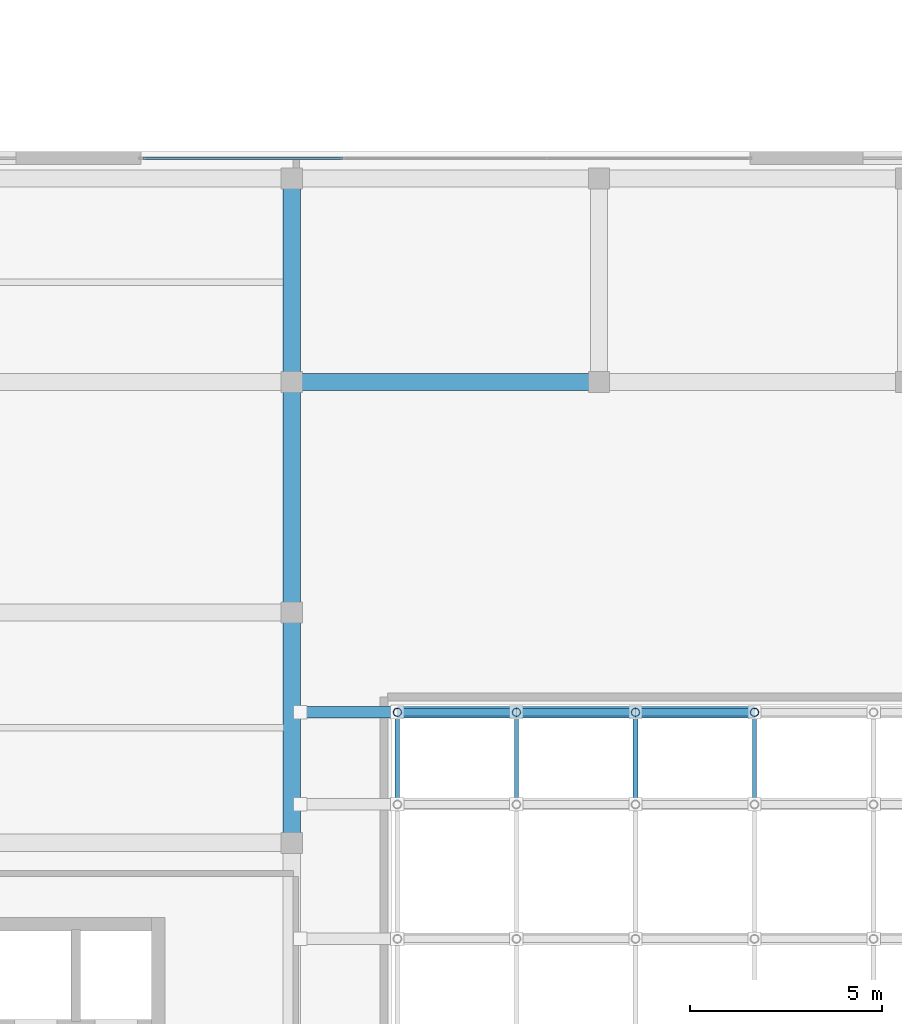
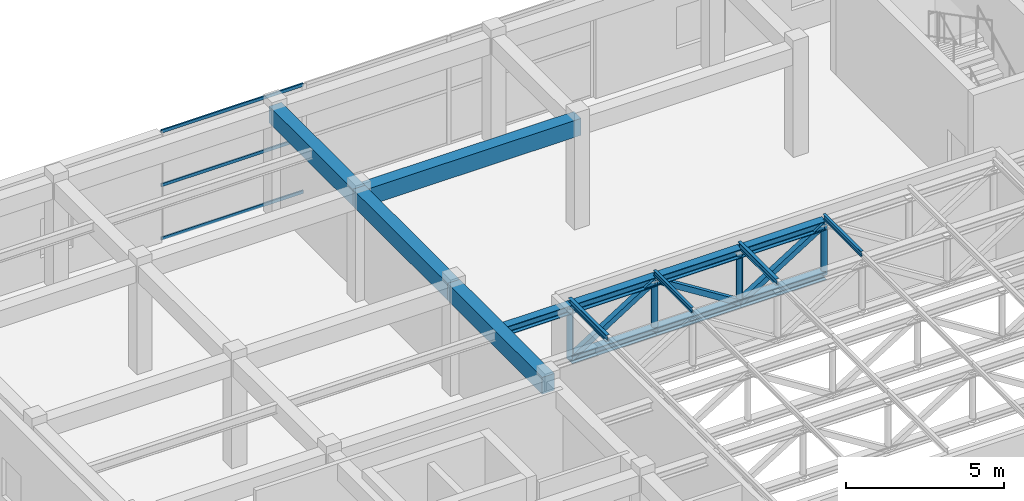
# One storey, part 18 of 33: 21 members, 4 beams, 1 element without a shape of its own.
"""IFC4 building model written with IfcOpenShell, lengths in metres."""

from ifc_helpers import new_model, si_unit, direction, frame, origin, origin_2d, place, context, subcontext, project, spatial, rectangle, hollow_rectangle, hollow_circle, i_section, extrude, source, transform, mapped, material, layer, layer_set, material_profile, profile_set, type_object, element, aggregate, save


model = new_model("IFC4")

# Units and contexts
model_context = context("Model", 3, precision=1e-05, world=origin(), true_north=direction((0.0, 1.0)))
body_context = subcontext(model_context, "Body", "Model", "MODEL_VIEW")
ifc_project = project(units=[si_unit("LENGTHUNIT", "METRE"), si_unit("AREAUNIT", "SQUARE_METRE"), si_unit("VOLUMEUNIT", "CUBIC_METRE"), si_unit("PLANEANGLEUNIT", "RADIAN"), si_unit("MASSUNIT", "GRAM", prefix="KILO")], contexts=[model_context])

# Site, building, storey
site_placement = place(None, origin())
site = spatial("IfcSite", under=ifc_project, at=site_placement, CompositionType="ELEMENT")
building_placement = place(site_placement, origin())
building = spatial("IfcBuilding", under=site, at=building_placement, Name="Khoralis Quay Care Tower", CompositionType="ELEMENT")
storey_placement = place(building_placement, frame((0.0, 0.0, 18.0)))
storey = spatial("IfcBuildingStorey", under=building, at=storey_placement, Name="L04", CompositionType="ELEMENT", Elevation=18.0)

# Beams
ifc_material_1 = material(Name="Concrete C40/50", Category="concrete")
ifc_material_profile_1 = material_profile(ifc_material_1, rectangle(XDim=0.449951171875, YDim=0.64990234375, at=origin_2d()), Name="Concrete C40/50")
ifc_profile_set_1 = profile_set([ifc_material_profile_1], Name="Concrete C40/50")
beam_type = type_object("IfcBeamType", Name="BM-RC450X650", PredefinedType="BEAM", material=ifc_profile_set_1)
shared_shape_1 = source(origin(), body_context, "Body", "SweptSolid", [
    extrude(rectangle(XDim=0.449951171875, YDim=0.64990234375, at=origin_2d()), origin(), (0.0, 0.0, 1.0), 8.0),
])
beam_1_placement = place(storey_placement, frame((84.0, 36.0, 3.864990234375), z_axis=(1.0, 0.0, 0.0), x_axis=(0.0, 1.0, 0.0)))
element("IfcBeam", 1, at=beam_1_placement, inside=storey, type_object=beam_type, Name="BM-SCX-L04-17", PredefinedType="BEAM", context=body_context, shape_type="MappedRepresentation", body=[
    mapped(shared_shape_1, transform((0.0, 0.0, 0.0), scale=1.0)),
])
shared_shape_2 = source(origin(), body_context, "Body", "SweptSolid", [
    extrude(rectangle(XDim=0.449951171875, YDim=0.64990234375, at=origin_2d()), origin(), (0.0, 0.0, 1.0), 5.300048828125),
])
beam_2_placement = place(storey_placement, frame((84.0, 36.0, 3.864990234375), z_axis=(0.0, 1.0, 0.0), x_axis=(-1.0, 0.0, 0.0)))
element("IfcBeam", 2, at=beam_2_placement, inside=storey, type_object=beam_type, Name="BM-SCY-L04-41", PredefinedType="BEAM", context=body_context, shape_type="MappedRepresentation", body=[
    mapped(shared_shape_2, transform((0.0, 0.0, 0.0), scale=1.0)),
])
shared_shape_3 = source(origin(), body_context, "Body", "SweptSolid", [
    extrude(rectangle(XDim=0.449951171875, YDim=0.64990234375, at=origin_2d()), origin(), (0.0, 0.0, 1.0), 6.0),
])
for number, where, z_axis, x_axis, name in (
    (3, (84.0, 24.0, 3.864990234375), (0.0, 1.0, 0.0), (-1.0, 0.0, 0.0), "BM-SCY-L04-39"),
    (4, (84.0, 30.0, 3.864990234375), (0.0, 1.0, 0.0), (-1.0, 0.0, 0.0), "BM-SCY-L04-40"),
):
    element("IfcBeam", number, at=place(storey_placement, frame(where, z_axis=z_axis, x_axis=x_axis)), inside=storey, type_object=beam_type, Name=name, PredefinedType="BEAM", context=body_context, shape_type="MappedRepresentation", body=[
        mapped(shared_shape_3, transform((0.0, 0.0, 0.0), scale=1.0)),
    ])

# Members
ifc_material_2 = material(Name="Steel S355", Category="steel")
ifc_material_profile_2 = material_profile(ifc_material_2, i_section(OverallWidth=0.300048828125, OverallDepth=0.340087890625, WebThickness=0.011962890625, FlangeThickness=0.021484375, FilletRadius=0.027099609375, at=origin_2d()), Name="Steel S355")
ifc_profile_set_2 = profile_set([ifc_material_profile_2], Name="Steel S355")
member_type_1 = type_object("IfcMemberType", Name="CH-HEB340", PredefinedType="CHORD", material=ifc_profile_set_2)
shared_shape_4 = source(origin(), body_context, "Body", "SweptSolid", [
    extrude(i_section(OverallWidth=0.300048828125, OverallDepth=0.340087890625, WebThickness=0.011962890625, FlangeThickness=0.021484375, FilletRadius=0.027099609375, at=origin_2d()), origin(), (0.0, 0.0, 1.0), 2.534912109375),
])
member_1_placement = place(storey_placement, frame((84.215087890625, 27.39990234375, 3.800048828125), z_axis=(1.0, 0.0, 0.0), x_axis=(0.0, 1.0, 0.0)))
element("IfcMember", 5, at=member_1_placement, inside=storey, type_object=member_type_1, Name="MBR-SCTC-5-W", PredefinedType="CHORD", context=body_context, shape_type="MappedRepresentation", body=[
    mapped(shared_shape_4, transform((0.0, 0.0, 0.0), scale=1.0)),
])
shared_shape_5 = source(origin(), body_context, "Body", "SweptSolid", [
    extrude(i_section(OverallWidth=0.300048828125, OverallDepth=0.340087890625, WebThickness=0.011962890625, FlangeThickness=0.021484375, FilletRadius=0.027099609375, at=origin_2d()), origin(), (0.0, 0.0, 1.0), 3.10009765625),
])
for number, where, z_axis, x_axis, name in (
    (6, (86.75, 27.39990234375, 3.800048828125), (1.0, 0.0, 0.0), (0.0, 1.0, 0.0), "MBR-SCTC-5-0"),
    (7, (92.949951171875, 27.39990234375, 3.800048828125), (1.0, 0.0, 0.0), (0.0, 1.0, 0.0), "MBR-SCTC-5-2"),
):
    element("IfcMember", number, at=place(storey_placement, frame(where, z_axis=z_axis, x_axis=x_axis)), inside=storey, type_object=member_type_1, Name=name, PredefinedType="CHORD", context=body_context, shape_type="MappedRepresentation", body=[
        mapped(shared_shape_5, transform((0.0, 0.0, 0.0), scale=1.0)),
    ])
ifc_material_profile_3 = material_profile(ifc_material_2, i_section(OverallWidth=0.300048828125, OverallDepth=0.300048828125, WebThickness=0.010986328125, FlangeThickness=0.01904296875, FilletRadius=0.027099609375, at=origin_2d()), Name="Steel S355")
ifc_profile_set_3 = profile_set([ifc_material_profile_3], Name="Steel S355")
member_type_2 = type_object("IfcMemberType", Name="CH-HEB300", PredefinedType="CHORD", material=ifc_profile_set_3)
shared_shape_6 = source(origin(), body_context, "Body", "SweptSolid", [
    extrude(i_section(OverallWidth=0.300048828125, OverallDepth=0.300048828125, WebThickness=0.010986328125, FlangeThickness=0.01904296875, FilletRadius=0.027099609375, at=origin_2d()), origin(), (0.0, 0.0, 1.0), 3.10009765625),
])
for number, where, z_axis, x_axis, name in (
    (8, (86.75, 27.39990234375, 1.85009765625), (1.0, 0.0, 0.0), (0.0, 1.0, 0.0), "MBR-SCBC-5-0"),
    (9, (92.949951171875, 27.39990234375, 1.85009765625), (1.0, 0.0, 0.0), (0.0, 1.0, 0.0), "MBR-SCBC-5-2"),
):
    element("IfcMember", number, at=place(storey_placement, frame(where, z_axis=z_axis, x_axis=x_axis)), inside=storey, type_object=member_type_2, Name=name, PredefinedType="CHORD", context=body_context, shape_type="MappedRepresentation", body=[
        mapped(shared_shape_6, transform((0.0, 0.0, 0.0), scale=1.0)),
    ])
ifc_material_profile_4 = material_profile(ifc_material_2, hollow_rectangle(XDim=0.199951171875, YDim=0.199951171875, WallThickness=0.010009765625, at=origin_2d()), Name="Steel S355")
ifc_profile_set_4 = profile_set([ifc_material_profile_4], Name="Steel S355")
member_type_3 = type_object("IfcMemberType", Name="BR-RHS200X200X10", PredefinedType="BRACE", material=ifc_profile_set_4)
shared_shape_7 = source(origin(), body_context, "Body", "SweptSolid", [
    extrude(hollow_rectangle(XDim=0.199951171875, YDim=0.199951171875, WallThickness=0.010009765625, at=origin_2d()), origin(), (0.0, 0.0, 1.0), 3.662353515625),
])
for number, where, z_axis, x_axis, name in (
    (10, (86.75, 27.39990234375, 1.85009765625), (0.846474321082, 0.0, 0.532429548156), (0.0, 1.0, 0.0), "L04 School Roof Truss Brace 5.0"),
    (11, (92.949951171875, 27.39990234375, 1.85009765625), (0.846474321082, 0.0, 0.532429548156), (0.0, 1.0, 0.0), "L04 School Roof Truss Brace 5.2"),
):
    element("IfcMember", number, at=place(storey_placement, frame(where, z_axis=z_axis, x_axis=x_axis)), inside=storey, type_object=member_type_3, Name=name, PredefinedType="BRACE", context=body_context, shape_type="MappedRepresentation", body=[
        mapped(shared_shape_7, transform((0.0, 0.0, 0.0), scale=1.0)),
    ])
shared_shape_8 = source(origin(), body_context, "Body", "SweptSolid", [
    extrude(i_section(OverallWidth=0.300048828125, OverallDepth=0.340087890625, WebThickness=0.011962890625, FlangeThickness=0.021484375, FilletRadius=0.027099609375, at=origin_2d()), origin(), (0.0, 0.0, 1.0), 3.099853515625),
])
member_2_placement = place(storey_placement, frame((89.85009765625, 27.39990234375, 3.800048828125), z_axis=(1.0, 0.0, 0.0), x_axis=(0.0, 1.0, 0.0)))
element("IfcMember", 12, at=member_2_placement, inside=storey, type_object=member_type_1, Name="MBR-SCTC-5-1", PredefinedType="CHORD", context=body_context, shape_type="MappedRepresentation", body=[
    mapped(shared_shape_8, transform((0.0, 0.0, 0.0), scale=1.0)),
])
shared_shape_9 = source(origin(), body_context, "Body", "SweptSolid", [
    extrude(i_section(OverallWidth=0.300048828125, OverallDepth=0.300048828125, WebThickness=0.010986328125, FlangeThickness=0.01904296875, FilletRadius=0.027099609375, at=origin_2d()), origin(), (0.0, 0.0, 1.0), 3.099853515625),
])
member_3_placement = place(storey_placement, frame((89.85009765625, 27.39990234375, 1.85009765625), z_axis=(1.0, 0.0, 0.0), x_axis=(0.0, 1.0, 0.0)))
element("IfcMember", 13, at=member_3_placement, inside=storey, type_object=member_type_2, Name="MBR-SCBC-5-1", PredefinedType="CHORD", context=body_context, shape_type="MappedRepresentation", body=[
    mapped(shared_shape_9, transform((0.0, 0.0, 0.0), scale=1.0)),
])
shared_shape_10 = source(origin(), body_context, "Body", "SweptSolid", [
    extrude(hollow_rectangle(XDim=0.199951171875, YDim=0.199951171875, WallThickness=0.010009765625, at=origin_2d()), origin(), (0.0, 0.0, 1.0), 3.662109375),
])
member_4_placement = place(storey_placement, frame((89.85009765625, 27.39990234375, 3.800048828125), z_axis=(0.846455422051, 0.0, -0.532459593284), x_axis=(0.0, 1.0, 0.0)))
element("IfcMember", 14, at=member_4_placement, inside=storey, type_object=member_type_3, Name="L04 School Roof Truss Brace 5.1", PredefinedType="BRACE", context=body_context, shape_type="MappedRepresentation", body=[
    mapped(shared_shape_10, transform((0.0, 0.0, 0.0), scale=1.0)),
])
ifc_material_profile_5 = material_profile(ifc_material_2, hollow_circle(Radius=0.109619140625, WallThickness=0.010009765625, at=origin_2d()), Name="Steel S355")
ifc_profile_set_5 = profile_set([ifc_material_profile_5], Name="Steel S355")
member_type_4 = type_object("IfcMemberType", Name="ST-CHS219X10", PredefinedType="STRUT", material=ifc_profile_set_5)
shared_shape_11 = source(origin(), body_context, "Body", "SweptSolid", [
    extrude(hollow_circle(Radius=0.109619140625, WallThickness=0.010009765625, at=origin_2d()), origin(), (0.0, 0.0, 1.0), 1.949951171875),
])
for number, where, z_axis, x_axis, name in (
    (15, (86.75, 27.39990234375, 1.85009765625), (0.0, 0.0, 1.0), (1.0, 0.0, 0.0), "MBR-SCVT-5-0"),
    (16, (89.85009765625, 27.39990234375, 1.85009765625), (0.0, 0.0, 1.0), (1.0, 0.0, 0.0), "MBR-SCVT-5-1"),
    (17, (92.949951171875, 27.39990234375, 1.85009765625), (0.0, 0.0, 1.0), (1.0, 0.0, 0.0), "MBR-SCVT-5-2"),
    (18, (96.050048828125, 27.39990234375, 1.85009765625), (0.0, 0.0, 1.0), (1.0, 0.0, 0.0), "MBR-SCVT-5-3"),
):
    element("IfcMember", number, at=place(storey_placement, frame(where, z_axis=z_axis, x_axis=x_axis)), inside=storey, type_object=member_type_4, Name=name, PredefinedType="STRUT", context=body_context, shape_type="MappedRepresentation", body=[
        mapped(shared_shape_11, transform((0.0, 0.0, 0.0), scale=1.0)),
    ])
ifc_material_profile_6 = material_profile(ifc_material_2, i_section(OverallWidth=0.1201171875, OverallDepth=0.239990234375, WebThickness=0.006103515625, FlangeThickness=0.009765625, FilletRadius=0.014892578125, at=origin_2d()), Name="Steel S355")
ifc_profile_set_6 = profile_set([ifc_material_profile_6], Name="Steel S355")
member_type_5 = type_object("IfcMemberType", Name="PR-IPE240", PredefinedType="PURLIN", material=ifc_profile_set_6)
shared_shape_12 = source(origin(), body_context, "Body", "SweptSolid", [
    extrude(i_section(OverallWidth=0.1201171875, OverallDepth=0.239990234375, WebThickness=0.006103515625, FlangeThickness=0.009765625, FilletRadius=0.014892578125, at=origin_2d()), origin(), (0.0, 0.0, 1.0), 2.39990234375),
])
for number, where, z_axis, x_axis, name in (
    (19, (86.75, 25.0, 4.070068359375), (0.0, 1.0, 0.0), (-1.0, 0.0, 0.0), "MBR-SCPR-1-4"),
    (20, (92.949951171875, 25.0, 4.070068359375), (0.0, 1.0, 0.0), (-1.0, 0.0, 0.0), "MBR-SCPR-3-4"),
):
    element("IfcMember", number, at=place(storey_placement, frame(where, z_axis=z_axis, x_axis=x_axis)), inside=storey, type_object=member_type_5, Name=name, PredefinedType="PURLIN", context=body_context, shape_type="MappedRepresentation", body=[
        mapped(shared_shape_12, transform((0.0, 0.0, 0.0), scale=1.0)),
    ])
ifc_material_profile_7 = material_profile(ifc_material_2, i_section(OverallWidth=0.10009765625, OverallDepth=0.199951171875, WebThickness=0.005615234375, FlangeThickness=0.008544921875, FilletRadius=0.011962890625, at=origin_2d()), Name="Steel S355")
ifc_profile_set_7 = profile_set([ifc_material_profile_7], Name="Steel S355")
member_type_6 = type_object("IfcMemberType", Name="PR-IPE200", PredefinedType="PURLIN", material=ifc_profile_set_7)
shared_shape_13 = source(origin(), body_context, "Body", "SweptSolid", [
    extrude(i_section(OverallWidth=0.10009765625, OverallDepth=0.199951171875, WebThickness=0.005615234375, FlangeThickness=0.008544921875, FilletRadius=0.011962890625, at=origin_2d()), origin(), (0.0, 0.0, 1.0), 2.39990234375),
])
for number, where, z_axis, x_axis, name in (
    (21, (89.85009765625, 25.0, 4.070068359375), (0.0, 1.0, 0.0), (-1.0, 0.0, 0.0), "MBR-SCPR-2-4"),
    (22, (96.050048828125, 25.0, 4.070068359375), (0.0, 1.0, 0.0), (-1.0, 0.0, 0.0), "MBR-SCPR-4-4"),
):
    element("IfcMember", number, at=place(storey_placement, frame(where, z_axis=z_axis, x_axis=x_axis)), inside=storey, type_object=member_type_6, Name=name, PredefinedType="PURLIN", context=body_context, shape_type="MappedRepresentation", body=[
        mapped(shared_shape_13, transform((0.0, 0.0, 0.0), scale=1.0)),
    ])

# Curtain wall, members
ifc_material_3 = material(Name="Pale anodised aluminium", Category="aluminium")
ifc_layer = layer(ifc_material_3, 0.14990234375)
ifc_layer_set = layer_set([ifc_layer], Name="Pale anodised aluminium")
curtain_wall_type = type_object("IfcCurtainWallType", Name="CW-SYS-SCHOOL", PredefinedType="NOTDEFINED", material=ifc_layer_set)
curtain_wall_placement = place(storey_placement, origin())
curtain_wall = element("IfcCurtainWall", 23, at=curtain_wall_placement, inside=storey, type_object=curtain_wall_type, Name="L04 Unitised Curtain Wall CW-SCH-L04-E3", PredefinedType="NOTDEFINED")
ifc_material_profile_8 = material_profile(ifc_material_3, hollow_rectangle(XDim=0.054931640625, YDim=0.1201171875, WallThickness=0.00390625, at=origin_2d()), Name="Pale anodised aluminium")
ifc_profile_set_8 = profile_set([ifc_material_profile_8], Name="Pale anodised aluminium")
member_type_7 = type_object("IfcMemberType", Name="CW-TRN-120", PredefinedType="USERDEFINED", material=ifc_profile_set_8)
shared_shape_14 = source(origin(), body_context, "Body", "SweptSolid", [
    extrude(hollow_rectangle(XDim=0.054931640625, YDim=0.1201171875, WallThickness=0.00390625, at=origin_2d()), origin(), (0.0, 0.0, 1.0), 5.197998046875),
])
member_5_placement = place(storey_placement, frame((85.325927734375, 41.830078125, 0.030029296875), z_axis=(-1.0, 0.0, 0.0), x_axis=(0.0, -1.0, 0.0)))
member_5 = element("IfcMember", 24, at=member_5_placement, type_object=member_type_7, Name="CW6 transom 3.1", ObjectType="TRANSOM", PredefinedType="USERDEFINED", context=body_context, shape_type="MappedRepresentation", body=[
    mapped(shared_shape_14, transform((0.0, 0.0, 0.0), scale=1.0)),
])
member_6_placement = place(storey_placement, frame((85.325927734375, 41.830078125, 2.10009765625), z_axis=(-1.0, 0.0, 0.0), x_axis=(0.0, -1.0, 0.0)))
member_6 = element("IfcMember", 25, at=member_6_placement, type_object=member_type_7, Name="CW6 transom 3.2", ObjectType="TRANSOM", PredefinedType="USERDEFINED", context=body_context, shape_type="MappedRepresentation", body=[
    mapped(shared_shape_14, transform((0.0, 0.0, 0.0), scale=1.0)),
])
member_7_placement = place(storey_placement, frame((85.325927734375, 41.830078125, 4.169921875), z_axis=(-1.0, 0.0, 0.0), x_axis=(0.0, -1.0, 0.0)))
member_7 = element("IfcMember", 26, at=member_7_placement, type_object=member_type_7, Name="CW6 transom 3.3", ObjectType="TRANSOM", PredefinedType="USERDEFINED", context=body_context, shape_type="MappedRepresentation", body=[
    mapped(shared_shape_14, transform((0.0, 0.0, 0.0), scale=1.0)),
])
aggregate(curtain_wall, [member_5, member_6, member_7])

save(model, "model.ifc")
